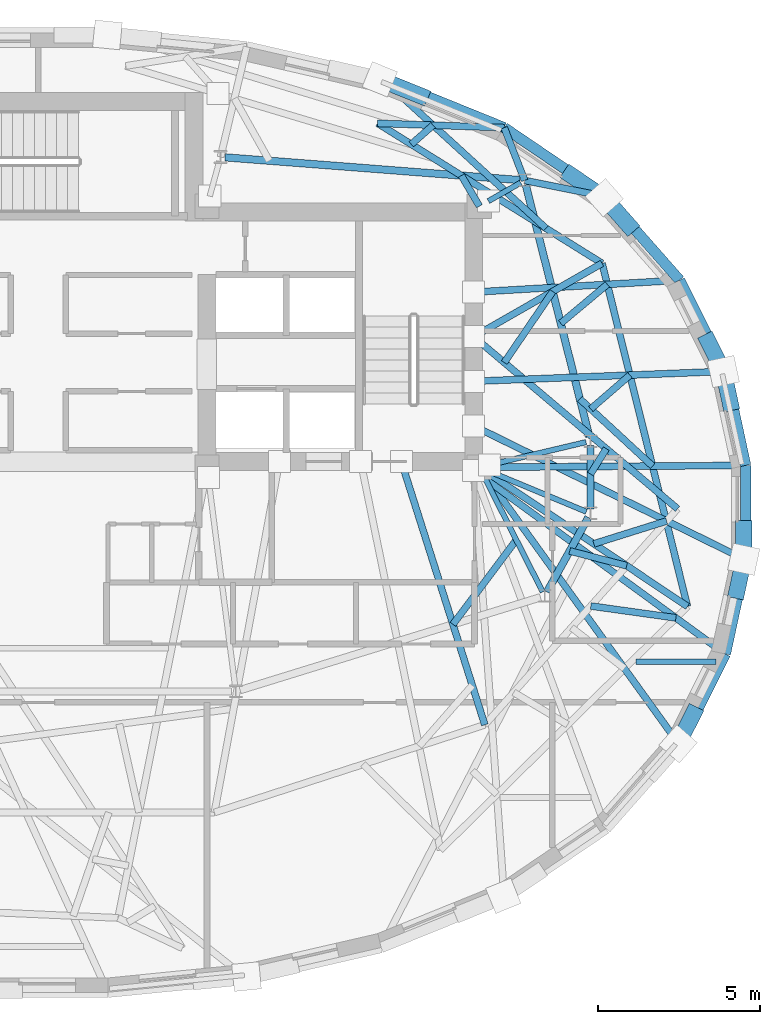
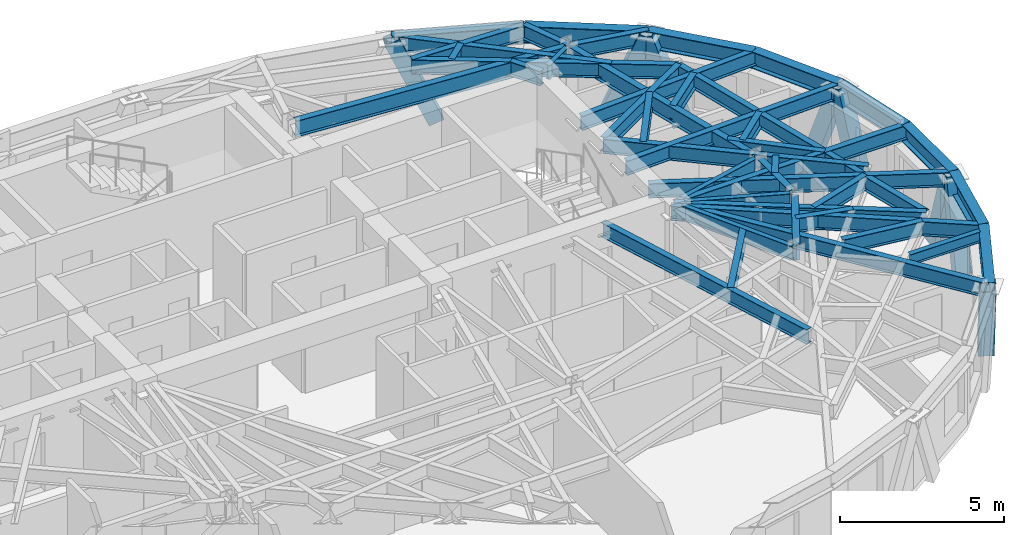
# One storey, part 4 of 13: 44 beams, 8 members.
"""IFC4 building model written with IfcOpenShell, lengths in metres."""

from ifc_helpers import new_model, si_unit, direction, frame, origin, origin_2d, place, context, subcontext, project, spatial, hollow_rectangle, i_section, extrude, material, material_profile, profile_set, type_object, element, save


model = new_model("IFC4")

# Units and contexts
model_context = context("Model", 3, precision=1e-05, world=origin(), true_north=direction((0.0, 1.0)))
body_context = subcontext(model_context, "Body", "Model", "MODEL_VIEW")
ifc_project = project(units=[si_unit("LENGTHUNIT", "METRE"), si_unit("AREAUNIT", "SQUARE_METRE"), si_unit("VOLUMEUNIT", "CUBIC_METRE"), si_unit("PLANEANGLEUNIT", "RADIAN"), si_unit("MASSUNIT", "GRAM", prefix="KILO")], contexts=[model_context])

# Site, building, storey
site_placement = place(None, origin())
site = spatial("IfcSite", under=ifc_project, at=site_placement, CompositionType="ELEMENT")
building_placement = place(site_placement, origin())
building = spatial("IfcBuilding", under=site, at=building_placement, Name="Keldmark Tower", CompositionType="ELEMENT")
storey_placement = place(building_placement, frame((0.0, 0.0, 241.5)))
storey = spatial("IfcBuildingStorey", under=building, at=storey_placement, Name="L68", CompositionType="ELEMENT", Elevation=241.5)

# Beam
ifc_material_1 = material(Name="Steel ASTM A992 Grade 50", Category="steel")
ifc_material_profile_1 = material_profile(ifc_material_1, i_section(OverallWidth=0.177978515625, OverallDepth=0.403076171875, WebThickness=0.007568359375, FlangeThickness=0.010986328125, at=origin_2d()), Name="W16X36")
ifc_profile_set_1 = profile_set([ifc_material_profile_1], Name="Steel ASTM A992 Grade 50")
beam_type_1 = type_object("IfcBeamType", Name="Composite Floor Joist W16X36", PredefinedType="JOIST", material=ifc_profile_set_1)
beam_1_placement = place(storey_placement, frame((18.422607421875, -4.60009765625, 2.7685546875), z_axis=(1.0, 0.0, 0.0), x_axis=(0.0, 1.0, 0.0)))
element("IfcBeam", 1, at=beam_1_placement, inside=storey, type_object=beam_type_1, Name="L68 Composite Floor Joist J05", PredefinedType="JOIST", context=body_context, shape_type="SweptSolid", body=[
    extrude(i_section(OverallWidth=0.177978515625, OverallDepth=0.403076171875, WebThickness=0.007568359375, FlangeThickness=0.010986328125, at=origin_2d()), origin(), (0.0, 0.0, 1.0), 2.466796875),
])

# Members
ifc_material_2 = material(Name="Steel ASTM A572 Grade 50", Category="steel")
ifc_material_profile_2 = material_profile(ifc_material_2, hollow_rectangle(XDim=0.5, YDim=0.5, WallThickness=0.030029296875, at=origin_2d()), Name="BOX500X500X30")
ifc_profile_set_2 = profile_set([ifc_material_profile_2], Name="Steel ASTM A572 Grade 50")
member_type = type_object("IfcMemberType", Name="Diagrid Upper Brace BOX500X500X30", PredefinedType="BRACE", material=ifc_profile_set_2)
member_1_placement = place(storey_placement, frame((21.3330078125, 3.384765625, -0.260009765625), z_axis=(-0.063809841383, 0.296308067664, 0.952958463512), x_axis=(-0.977588814613, -0.210523418042, 0.0)))
element("IfcMember", 2, at=member_1_placement, inside=storey, type_object=member_type, Name="L68 Perimeter Diagrid Brace 01A", PredefinedType="BRACE", context=body_context, shape_type="SweptSolid", body=[
    extrude(hollow_rectangle(XDim=0.5, YDim=0.5, WallThickness=0.030029296875, at=origin_2d()), origin(), (0.0, 0.0, 1.0), 3.263671875),
])
member_2_placement = place(storey_placement, frame((20.6572265625, 5.27685546875, -0.260009765625), z_axis=(0.143198761673, -0.285430466774, 0.947641051924), x_axis=(0.893820706466, 0.448424513929, 0.0)))
element("IfcMember", 3, at=member_2_placement, inside=storey, type_object=member_type, Name="L68 Perimeter Diagrid Brace 01B", PredefinedType="BRACE", context=body_context, shape_type="SweptSolid", body=[
    extrude(hollow_rectangle(XDim=0.5, YDim=0.5, WallThickness=0.030029296875, at=origin_2d()), origin(), (0.0, 0.0, 1.0), 3.281982421875),
])
member_3_placement = place(storey_placement, frame((18.20849609375, 8.85498046875, -0.260009765625), z_axis=(-0.228311749469, 0.258959599672, 0.938516739751), x_axis=(-0.750099356508, -0.661325151016, 0.0)))
element("IfcMember", 4, at=member_3_placement, inside=storey, type_object=member_type, Name="L68 Perimeter Diagrid Brace 02A", PredefinedType="BRACE", context=body_context, shape_type="SweptSolid", body=[
    extrude(hollow_rectangle(XDim=0.5, YDim=0.5, WallThickness=0.030029296875, at=origin_2d()), origin(), (0.0, 0.0, 1.0), 3.31396484375),
])
member_4_placement = place(storey_placement, frame((16.412109375, 10.412841796875, -0.260009765625), z_axis=(0.311680858126, -0.211326312113, 0.926388812803), x_axis=(0.56118969734, 0.827687213626, 0.0)))
element("IfcMember", 5, at=member_4_placement, inside=storey, type_object=member_type, Name="L68 Perimeter Diagrid Brace 02B", PredefinedType="BRACE", context=body_context, shape_type="SweptSolid", body=[
    extrude(hollow_rectangle(XDim=0.5, YDim=0.5, WallThickness=0.030029296875, at=origin_2d()), origin(), (0.0, 0.0, 1.0), 3.357177734375),
])
member_5_placement = place(storey_placement, frame((11.797119140625, 12.849609375, -0.260009765625), z_axis=(-0.372536559181, 0.151084670538, 0.915636354893), x_axis=(-0.37582546078, -0.926690467756, 0.0)))
element("IfcMember", 6, at=member_5_placement, inside=storey, type_object=member_type, Name="L68 Perimeter Diagrid Brace 03A", PredefinedType="BRACE", context=body_context, shape_type="SweptSolid", body=[
    extrude(hollow_rectangle(XDim=0.5, YDim=0.5, WallThickness=0.030029296875, at=origin_2d()), origin(), (0.0, 0.0, 1.0), 3.396728515625),
])
member_6_placement = place(storey_placement, frame((20.191650390625, -6.202392578125, -0.260009765625), z_axis=(-0.143201801896, -0.285362136141, 0.94766117109), x_axis=(0.89377384963, -0.448517898993, 0.0)))
element("IfcMember", 7, at=member_6_placement, inside=storey, type_object=member_type, Name="L68 Perimeter Diagrid Brace 15B", PredefinedType="BRACE", context=body_context, shape_type="SweptSolid", body=[
    extrude(hollow_rectangle(XDim=0.5, YDim=0.5, WallThickness=0.030029296875, at=origin_2d()), origin(), (0.0, 0.0, 1.0), 3.281982421875),
])
member_7_placement = place(storey_placement, frame((21.543701171875, -2.40625, -0.260009765625), z_axis=(0.063809841383, 0.296308067664, 0.952958463512), x_axis=(-0.977588814613, 0.210523418042, 0.0)))
element("IfcMember", 8, at=member_7_placement, inside=storey, type_object=member_type, Name="L68 Perimeter Diagrid Brace 16A", PredefinedType="BRACE", context=body_context, shape_type="SweptSolid", body=[
    extrude(hollow_rectangle(XDim=0.5, YDim=0.5, WallThickness=0.030029296875, at=origin_2d()), origin(), (0.0, 0.0, 1.0), 3.263671875),
])
member_8_placement = place(storey_placement, frame((21.74951171875, -0.4794921875, -0.260009765625), z_axis=(0.0, -0.298074460176, 0.954542621464), x_axis=(1.0, 0.0, 0.0)))
element("IfcMember", 9, at=member_8_placement, inside=storey, type_object=member_type, Name="L68 Perimeter Diagrid Brace 16B", PredefinedType="BRACE", context=body_context, shape_type="SweptSolid", body=[
    extrude(hollow_rectangle(XDim=0.5, YDim=0.5, WallThickness=0.030029296875, at=origin_2d()), origin(), (0.0, 0.0, 1.0), 3.25830078125),
])

# Beams
ifc_material_3 = material(Name="Steel ASTM A992 Grade 50", Category="steel")
ifc_material_profile_3 = material_profile(ifc_material_3, i_section(OverallWidth=0.22802734375, OverallDepth=0.60302734375, WebThickness=0.010498046875, FlangeThickness=0.014892578125, at=origin_2d()), Name="W24X68")
ifc_profile_set_3 = profile_set([ifc_material_profile_3], Name="Steel ASTM A992 Grade 50")
beam_type_2 = type_object("IfcBeamType", Name="Primary Floor Girder W24X68", PredefinedType="BEAM", material=ifc_profile_set_3)
beam_2_placement = place(storey_placement, frame((16.9912109375, 2.34375, 2.66845703125), z_axis=(-0.244902129455, 0.969547805417, 0.0), x_axis=(-0.969547805417, -0.244902129455, 0.0)))
element("IfcBeam", 10, at=beam_2_placement, inside=storey, type_object=beam_type_2, Name="L68 Floor Ring Girder FG-R01", PredefinedType="BEAM", context=body_context, shape_type="SweptSolid", body=[
    extrude(i_section(OverallWidth=0.22802734375, OverallDepth=0.60302734375, WebThickness=0.010498046875, FlangeThickness=0.014892578125, at=origin_2d()), origin(), (0.0, 0.0, 1.0), 8.008056640625),
])
beam_3_placement = place(storey_placement, frame((14.856201171875, 10.25439453125, 2.66845703125), z_axis=(-0.997037147832, 0.076921556421, 0.0), x_axis=(-0.076921556421, -0.997037147832, 0.0)))
element("IfcBeam", 11, at=beam_3_placement, inside=storey, type_object=beam_type_2, Name="L68 Floor Ring Girder FG-R02", PredefinedType="BEAM", context=body_context, shape_type="SweptSolid", body=[
    extrude(i_section(OverallWidth=0.22802734375, OverallDepth=0.60302734375, WebThickness=0.010498046875, FlangeThickness=0.014892578125, at=origin_2d()), origin(), (0.0, 0.0, 1.0), 9.125),
])
beam_4_placement = place(storey_placement, frame((15.68408203125, -2.44482421875, 2.66845703125), z_axis=(0.484719680408, 0.874669555561, 0.0), x_axis=(-0.874669555561, 0.484719680408, 0.0)))
element("IfcBeam", 12, at=beam_4_placement, inside=storey, type_object=beam_type_2, Name="L68 Floor Ring Girder FG-R11", PredefinedType="BEAM", context=body_context, shape_type="SweptSolid", body=[
    extrude(i_section(OverallWidth=0.22802734375, OverallDepth=0.60302734375, WebThickness=0.010498046875, FlangeThickness=0.014892578125, at=origin_2d()), origin(), (0.0, 0.0, 1.0), 2.627685546875),
])
beam_5_placement = place(storey_placement, frame((17.025634765625, 0.115966796875, 2.66845703125), z_axis=(0.0, 1.0, 0.0), x_axis=(-1.0, 0.0, 0.0)))
element("IfcBeam", 13, at=beam_5_placement, inside=storey, type_object=beam_type_2, Name="L68 Floor Ring Girder FG-R12", PredefinedType="BEAM", context=body_context, shape_type="SweptSolid", body=[
    extrude(i_section(OverallWidth=0.22802734375, OverallDepth=0.60302734375, WebThickness=0.010498046875, FlangeThickness=0.014892578125, at=origin_2d()), origin(), (0.0, 0.0, 1.0), 1.9521484375),
])
ifc_material_4 = material(Name="Steel ASTM A992 Grade 50", Category="steel")
ifc_material_profile_4 = material_profile(ifc_material_4, i_section(OverallWidth=0.166015625, OverallDepth=0.529052734375, WebThickness=0.009765625, FlangeThickness=0.013671875, at=origin_2d()), Name="W21X50")
ifc_profile_set_4 = profile_set([ifc_material_profile_4], Name="Steel ASTM A992 Grade 50")
beam_type_3 = type_object("IfcBeamType", Name="Radial Tie Girder W21X50", PredefinedType="BEAM", material=ifc_profile_set_4)
beam_6_placement = place(storey_placement, frame((16.889404296875, 2.17578125, 2.70556640625), z_axis=(-0.97329039005, -0.229577474147, 0.0), x_axis=(0.229577474147, -0.97329039005, 0.0)))
element("IfcBeam", 14, at=beam_6_placement, inside=storey, type_object=beam_type_3, Name="L68 Floor Radial Girder FG-C01", PredefinedType="BEAM", context=body_context, shape_type="SweptSolid", body=[
    extrude(i_section(OverallWidth=0.166015625, OverallDepth=0.529052734375, WebThickness=0.009765625, FlangeThickness=0.013671875, at=origin_2d()), origin(), (0.0, 0.0, 1.0), 3.0595703125),
])
beam_7_placement = place(storey_placement, frame((14.8740234375, 10.174560546875, 2.70556640625), z_axis=(-0.869238046195, -0.494393789451, 0.0), x_axis=(0.494393789451, -0.869238046195, 0.0)))
element("IfcBeam", 15, at=beam_7_placement, inside=storey, type_object=beam_type_3, Name="L68 Floor Radial Girder FG-C02", PredefinedType="BEAM", context=body_context, shape_type="SweptSolid", body=[
    extrude(i_section(OverallWidth=0.166015625, OverallDepth=0.529052734375, WebThickness=0.009765625, FlangeThickness=0.013671875, at=origin_2d()), origin(), (0.0, 0.0, 1.0), 1.145751953125),
])
beam_8_placement = place(storey_placement, frame((15.552734375, -2.442626953125, 2.70556640625), z_axis=(-0.453004410574, 0.89150827478, 0.0), x_axis=(-0.89150827478, -0.453004410574, 0.0)))
element("IfcBeam", 16, at=beam_8_placement, inside=storey, type_object=beam_type_3, Name="L68 Floor Radial Girder FG-C11", PredefinedType="BEAM", context=body_context, shape_type="SweptSolid", body=[
    extrude(i_section(OverallWidth=0.166015625, OverallDepth=0.529052734375, WebThickness=0.009765625, FlangeThickness=0.013671875, at=origin_2d()), origin(), (0.0, 0.0, 1.0), 3.990234375),
])
beam_9_placement = place(storey_placement, frame((16.896240234375, 0.02978515625, 2.70556640625), z_axis=(-0.923403331902, 0.383831065226, 0.0), x_axis=(-0.383831065226, -0.923403331902, 0.0)))
element("IfcBeam", 17, at=beam_9_placement, inside=storey, type_object=beam_type_3, Name="L68 Floor Radial Girder FG-C12", PredefinedType="BEAM", context=body_context, shape_type="SweptSolid", body=[
    extrude(i_section(OverallWidth=0.166015625, OverallDepth=0.529052734375, WebThickness=0.009765625, FlangeThickness=0.013671875, at=origin_2d()), origin(), (0.0, 0.0, 1.0), 3.249755859375),
])
ifc_material_5 = material(Name="Steel ASTM A992 Grade 50", Category="steel")
ifc_material_profile_5 = material_profile(ifc_material_5, i_section(OverallWidth=0.2099609375, OverallDepth=0.537109375, WebThickness=0.010986328125, FlangeThickness=0.017333984375, at=origin_2d()), Name="W21X68")
ifc_profile_set_5 = profile_set([ifc_material_profile_5], Name="Steel ASTM A992 Grade 50")
beam_type_4 = type_object("IfcBeamType", Name="Radial Tie Girder W21X68", PredefinedType="BEAM", material=ifc_profile_set_5)
beam_10_placement = place(storey_placement, frame((14.7392578125, -0.841796875, 2.701416015625), z_axis=(-0.600792057917, -0.799405343455, 0.0), x_axis=(0.799405343455, -0.600792057917, 0.0)))
element("IfcBeam", 18, at=beam_10_placement, inside=storey, type_object=beam_type_4, Name="L68 Framing Pin Header PH-005", PredefinedType="BEAM", context=body_context, shape_type="SweptSolid", body=[
    extrude(i_section(OverallWidth=0.2099609375, OverallDepth=0.537109375, WebThickness=0.010986328125, FlangeThickness=0.017333984375, at=origin_2d()), origin(), (0.0, 0.0, 1.0), 3.253662109375),
])
beam_11_placement = place(storey_placement, frame((11.19287109375, 1.574951171875, 2.701416015625), z_axis=(0.3023360028, -0.953201417021, 0.0), x_axis=(0.953201417021, 0.3023360028, 0.0)))
element("IfcBeam", 19, at=beam_11_placement, inside=storey, type_object=beam_type_4, Name="L68 Sub-Ring Step Girder STP1-M11", PredefinedType="BEAM", context=body_context, shape_type="SweptSolid", body=[
    extrude(i_section(OverallWidth=0.2099609375, OverallDepth=0.537109375, WebThickness=0.010986328125, FlangeThickness=0.017333984375, at=origin_2d()), origin(), (0.0, 0.0, 1.0), 8.514404296875),
])
beam_12_placement = place(storey_placement, frame((17.025634765625, 1.189697265625, 2.701416015625), z_axis=(0.527856749406, 0.849333416337, 0.0), x_axis=(-0.849333416337, 0.527856749406, 0.0)))
element("IfcBeam", 20, at=beam_12_placement, inside=storey, type_object=beam_type_4, Name="L68 Framing Pin Header PH-006", PredefinedType="BEAM", context=body_context, shape_type="SweptSolid", body=[
    extrude(i_section(OverallWidth=0.2099609375, OverallDepth=0.537109375, WebThickness=0.010986328125, FlangeThickness=0.017333984375, at=origin_2d()), origin(), (0.0, 0.0, 1.0), 0.922607421875),
])
beam_13_placement = place(storey_placement, frame((13.425048828125, 5.425048828125, 2.701416015625), z_axis=(0.764059179504, -0.645146161901, 0.0), x_axis=(0.645146161901, 0.764059179504, 0.0)))
element("IfcBeam", 21, at=beam_13_placement, inside=storey, type_object=beam_type_4, Name="L68 Sub-Ring Step Girder STP1-M12", PredefinedType="BEAM", context=body_context, shape_type="SweptSolid", body=[
    extrude(i_section(OverallWidth=0.2099609375, OverallDepth=0.537109375, WebThickness=0.010986328125, FlangeThickness=0.017333984375, at=origin_2d()), origin(), (0.0, 0.0, 1.0), 8.224609375),
])
beam_14_placement = place(storey_placement, frame((14.36767578125, 4.629150390625, 2.701416015625), z_axis=(0.563534054142, 0.826092833659, 0.0), x_axis=(-0.826092833659, 0.563534054142, 0.0)))
element("IfcBeam", 22, at=beam_14_placement, inside=storey, type_object=beam_type_4, Name="L68 Framing Pin Header PH-007", PredefinedType="BEAM", context=body_context, shape_type="SweptSolid", body=[
    extrude(i_section(OverallWidth=0.2099609375, OverallDepth=0.537109375, WebThickness=0.010986328125, FlangeThickness=0.017333984375, at=origin_2d()), origin(), (0.0, 0.0, 1.0), 2.650146484375),
])
beam_15_placement = place(storey_placement, frame((13.425048828125, 5.425048828125, 2.701416015625), z_axis=(0.86802883887, 0.496513781168, 0.0), x_axis=(-0.496513781168, 0.86802883887, 0.0)))
element("IfcBeam", 23, at=beam_15_placement, inside=storey, type_object=beam_type_4, Name="L68 Sub-Ring Step Girder STP2-M01", PredefinedType="BEAM", context=body_context, shape_type="SweptSolid", body=[
    extrude(i_section(OverallWidth=0.2099609375, OverallDepth=0.537109375, WebThickness=0.010986328125, FlangeThickness=0.017333984375, at=origin_2d()), origin(), (0.0, 0.0, 1.0), 4.55859375),
])
beam_16_placement = place(storey_placement, frame((16.384521484375, -1.180908203125, 2.701416015625), z_axis=(0.967879454201, -0.2514147214, 0.0), x_axis=(0.2514147214, 0.967879454201, 0.0)))
element("IfcBeam", 24, at=beam_16_placement, inside=storey, type_object=beam_type_4, Name="L68 Framing Pin Header PH-012", PredefinedType="BEAM", context=body_context, shape_type="SweptSolid", body=[
    extrude(i_section(OverallWidth=0.2099609375, OverallDepth=0.537109375, WebThickness=0.010986328125, FlangeThickness=0.017333984375, at=origin_2d()), origin(), (0.0, 0.0, 1.0), 1.81591796875),
])
beam_17_placement = place(storey_placement, frame((13.60009765625, 1.39990234375, 2.701416015625), z_axis=(0.831256362495, -0.555889251391, 0.0), x_axis=(0.555889251391, 0.831256362495, 0.0)))
element("IfcBeam", 25, at=beam_17_placement, inside=storey, type_object=beam_type_4, Name="L68 Sub-Ring Step Girder STP2-M12", PredefinedType="BEAM", context=body_context, shape_type="SweptSolid", body=[
    extrude(i_section(OverallWidth=0.2099609375, OverallDepth=0.537109375, WebThickness=0.010986328125, FlangeThickness=0.017333984375, at=origin_2d()), origin(), (0.0, 0.0, 1.0), 7.7197265625),
])
beam_18_placement = place(storey_placement, frame((20.01708984375, -2.891357421875, 2.701416015625), z_axis=(-0.241676731391, 0.970356819682, 0.0), x_axis=(-0.970356819682, -0.241676731391, 0.0)))
element("IfcBeam", 26, at=beam_18_placement, inside=storey, type_object=beam_type_4, Name="L68 Perimeter Collector Ring Beam CRG2-M12", PredefinedType="BEAM", context=body_context, shape_type="SweptSolid", body=[
    extrude(i_section(OverallWidth=0.2099609375, OverallDepth=0.537109375, WebThickness=0.010986328125, FlangeThickness=0.017333984375, at=origin_2d()), origin(), (0.0, 0.0, 1.0), 10.903076171875),
])
beam_19_placement = place(storey_placement, frame((16.697021484375, 3.50830078125, 2.701416015625), z_axis=(0.734505952671, -0.678602243948, 0.0), x_axis=(0.678602243948, 0.734505952671, 0.0)))
element("IfcBeam", 27, at=beam_19_placement, inside=storey, type_object=beam_type_4, Name="L68 Framing Pin Header PH-013", PredefinedType="BEAM", context=body_context, shape_type="SweptSolid", body=[
    extrude(i_section(OverallWidth=0.2099609375, OverallDepth=0.537109375, WebThickness=0.010986328125, FlangeThickness=0.017333984375, at=origin_2d()), origin(), (0.0, 0.0, 1.0), 3.052734375),
])
beam_20_placement = place(storey_placement, frame((13.60009765625, 1.39990234375, 2.701416015625), z_axis=(0.999976198415, 0.006899464031, 0.0), x_axis=(-0.006899464031, 0.999976198415, 0.0)))
element("IfcBeam", 28, at=beam_20_placement, inside=storey, type_object=beam_type_4, Name="L68 Perimeter Radial Tie Girder RT-01", PredefinedType="BEAM", context=body_context, shape_type="SweptSolid", body=[
    extrude(i_section(OverallWidth=0.2099609375, OverallDepth=0.537109375, WebThickness=0.010986328125, FlangeThickness=0.017333984375, at=origin_2d()), origin(), (0.0, 0.0, 1.0), 8.20947265625),
])
beam_21_placement = place(storey_placement, frame((17.033447265625, 3.197509765625, 2.701416015625), z_axis=(0.756571819004, 0.653910607568, 0.0), x_axis=(-0.653910607568, 0.756571819004, 0.0)))
element("IfcBeam", 29, at=beam_21_placement, inside=storey, type_object=beam_type_4, Name="L68 Framing Pin Header PH-014", PredefinedType="BEAM", context=body_context, shape_type="SweptSolid", body=[
    extrude(i_section(OverallWidth=0.2099609375, OverallDepth=0.537109375, WebThickness=0.010986328125, FlangeThickness=0.017333984375, at=origin_2d()), origin(), (0.0, 0.0, 1.0), 1.595703125),
])
beam_22_placement = place(storey_placement, frame((13.425048828125, 4.050048828125, 2.701416015625), z_axis=(0.999215108234, 0.039612718635, 0.0), x_axis=(-0.039612718635, 0.999215108234, 0.0)))
element("IfcBeam", 30, at=beam_22_placement, inside=storey, type_object=beam_type_4, Name="L68 Perimeter Radial Tie Girder RT-02", PredefinedType="BEAM", context=body_context, shape_type="SweptSolid", body=[
    extrude(i_section(OverallWidth=0.2099609375, OverallDepth=0.537109375, WebThickness=0.010986328125, FlangeThickness=0.017333984375, at=origin_2d()), origin(), (0.0, 0.0, 1.0), 7.765625),
])
beam_23_placement = place(storey_placement, frame((16.10888671875, 5.837646484375, 2.701416015625), z_axis=(0.766957773251, 0.641697572108, 0.0), x_axis=(-0.641697572108, 0.766957773251, 0.0)))
element("IfcBeam", 31, at=beam_23_placement, inside=storey, type_object=beam_type_4, Name="L68 Framing Pin Header PH-015", PredefinedType="BEAM", context=body_context, shape_type="SweptSolid", body=[
    extrude(i_section(OverallWidth=0.2099609375, OverallDepth=0.537109375, WebThickness=0.010986328125, FlangeThickness=0.017333984375, at=origin_2d()), origin(), (0.0, 0.0, 1.0), 1.87109375),
])
beam_24_placement = place(storey_placement, frame((13.425048828125, 6.800048828125, 2.701416015625), z_axis=(0.998332122383, 0.057731909876, 0.0), x_axis=(-0.057731909876, 0.998332122383, 0.0)))
element("IfcBeam", 32, at=beam_24_placement, inside=storey, type_object=beam_type_4, Name="L68 Perimeter Radial Tie Girder RT-03", PredefinedType="BEAM", context=body_context, shape_type="SweptSolid", body=[
    extrude(i_section(OverallWidth=0.2099609375, OverallDepth=0.537109375, WebThickness=0.010986328125, FlangeThickness=0.017333984375, at=origin_2d()), origin(), (0.0, 0.0, 1.0), 6.360107421875),
])
beam_25_placement = place(storey_placement, frame((14.995849609375, 10.24365234375, 2.701416015625), z_axis=(0.9805513071, -0.19626292096, 0.0), x_axis=(0.19626292096, 0.9805513071, 0.0)))
element("IfcBeam", 33, at=beam_25_placement, inside=storey, type_object=beam_type_4, Name="L68 Perimeter Column Bracket RT-04", PredefinedType="BEAM", context=body_context, shape_type="SweptSolid", body=[
    extrude(i_section(OverallWidth=0.2099609375, OverallDepth=0.537109375, WebThickness=0.010986328125, FlangeThickness=0.017333984375, at=origin_2d()), origin(), (0.0, 0.0, 1.0), 2.558837890625),
])
beam_26_placement = place(storey_placement, frame((14.995849609375, 10.24365234375, 2.701416015625), z_axis=(-0.361135466813, 0.932513364306, 0.0), x_axis=(-0.932513364306, -0.361135466813, 0.0)))
element("IfcBeam", 34, at=beam_26_placement, inside=storey, type_object=beam_type_4, Name="L68 Perimeter Column Bracket RT-05", PredefinedType="BEAM", context=body_context, shape_type="SweptSolid", body=[
    extrude(i_section(OverallWidth=0.2099609375, OverallDepth=0.537109375, WebThickness=0.010986328125, FlangeThickness=0.017333984375, at=origin_2d()), origin(), (0.0, 0.0, 1.0), 1.744140625),
])
beam_27_placement = place(storey_placement, frame((13.60009765625, 9.449951171875, 2.701416015625), z_axis=(-0.507136973213, 0.861865471173, 0.0), x_axis=(-0.861865471173, -0.507136973213, 0.0)))
element("IfcBeam", 35, at=beam_27_placement, inside=storey, type_object=beam_type_4, Name="L68 Framing Pin Header PH-016", PredefinedType="BEAM", context=body_context, shape_type="SweptSolid", body=[
    extrude(i_section(OverallWidth=0.2099609375, OverallDepth=0.537109375, WebThickness=0.010986328125, FlangeThickness=0.017333984375, at=origin_2d()), origin(), (0.0, 0.0, 1.0), 1.095703125),
])
beam_28_placement = place(storey_placement, frame((17.382080078125, 7.6884765625, 2.701416015625), z_axis=(-0.84845368143, 0.529269638717, 0.0), x_axis=(-0.529269638717, -0.84845368143, 0.0)))
element("IfcBeam", 36, at=beam_28_placement, inside=storey, type_object=beam_type_4, Name="L68 Intermediate Radial Step Girder RT-06M", PredefinedType="BEAM", context=body_context, shape_type="SweptSolid", body=[
    extrude(i_section(OverallWidth=0.2099609375, OverallDepth=0.537109375, WebThickness=0.010986328125, FlangeThickness=0.017333984375, at=origin_2d()), origin(), (0.0, 0.0, 1.0), 8.15673828125),
])
beam_29_placement = place(storey_placement, frame((14.365966796875, 11.8701171875, 2.701416015625), z_axis=(-0.999398405226, 0.034681805471, 0.0), x_axis=(-0.034681805471, -0.999398405226, 0.0)))
element("IfcBeam", 37, at=beam_29_placement, inside=storey, type_object=beam_type_4, Name="L68 Local Collector Chord RT-06C", PredefinedType="BEAM", context=body_context, shape_type="SweptSolid", body=[
    extrude(i_section(OverallWidth=0.2099609375, OverallDepth=0.537109375, WebThickness=0.010986328125, FlangeThickness=0.017333984375, at=origin_2d()), origin(), (0.0, 0.0, 1.0), 3.906982421875),
])
beam_30_placement = place(storey_placement, frame((11.49951171875, 11.35791015625, 2.701416015625), z_axis=(0.75255976066, 0.658523960563, 0.0), x_axis=(-0.658523960563, 0.75255976066, 0.0)))
element("IfcBeam", 38, at=beam_30_placement, inside=storey, type_object=beam_type_4, Name="L68 Framing Pin Header PH-017", PredefinedType="BEAM", context=body_context, shape_type="SweptSolid", body=[
    extrude(i_section(OverallWidth=0.2099609375, OverallDepth=0.537109375, WebThickness=0.010986328125, FlangeThickness=0.017333984375, at=origin_2d()), origin(), (0.0, 0.0, 1.0), 0.89306640625),
])
beam_31_placement = place(storey_placement, frame((15.652099609375, 8.767578125, 2.701416015625), z_axis=(-0.738394104317, 0.674369443785, 0.0), x_axis=(-0.674369443785, -0.738394104317, 0.0)))
element("IfcBeam", 39, at=beam_31_placement, inside=storey, type_object=beam_type_4, Name="L68 Perimeter Radial Tie Girder RT-06", PredefinedType="BEAM", context=body_context, shape_type="SweptSolid", body=[
    extrude(i_section(OverallWidth=0.2099609375, OverallDepth=0.537109375, WebThickness=0.010986328125, FlangeThickness=0.017333984375, at=origin_2d()), origin(), (0.0, 0.0, 1.0), 6.8828125),
])
beam_32_placement = place(storey_placement, frame((13.60009765625, 1.39990234375, 2.701416015625), z_axis=(0.584692608254, -0.811254925318, 0.0), x_axis=(0.811254925318, 0.584692608254, 0.0)))
element("IfcBeam", 40, at=beam_32_placement, inside=storey, type_object=beam_type_4, Name="L68 Perimeter Radial Tie Girder RT-30", PredefinedType="BEAM", context=body_context, shape_type="SweptSolid", body=[
    extrude(i_section(OverallWidth=0.2099609375, OverallDepth=0.537109375, WebThickness=0.010986328125, FlangeThickness=0.017333984375, at=origin_2d()), origin(), (0.0, 0.0, 1.0), 10.560302734375),
])
beam_33_placement = place(storey_placement, frame((17.035400390625, -2.8779296875, 2.701416015625), z_axis=(0.990356423004, -0.138542973173, 0.0), x_axis=(0.138542973173, 0.990356423004, 0.0)))
element("IfcBeam", 41, at=beam_33_placement, inside=storey, type_object=beam_type_4, Name="L68 Framing Pin Header PH-036", PredefinedType="BEAM", context=body_context, shape_type="SweptSolid", body=[
    extrude(i_section(OverallWidth=0.2099609375, OverallDepth=0.537109375, WebThickness=0.010986328125, FlangeThickness=0.017333984375, at=origin_2d()), origin(), (0.0, 0.0, 1.0), 2.648681640625),
])
beam_34_placement = place(storey_placement, frame((13.425048828125, 1.300048828125, 2.701416015625), z_axis=(0.808020893501, -0.589153830223, 0.0), x_axis=(0.589153830223, 0.808020893501, 0.0)))
element("IfcBeam", 42, at=beam_34_placement, inside=storey, type_object=beam_type_4, Name="L68 Perimeter Radial Tie Girder RT-31", PredefinedType="BEAM", context=body_context, shape_type="SweptSolid", body=[
    extrude(i_section(OverallWidth=0.2099609375, OverallDepth=0.537109375, WebThickness=0.010986328125, FlangeThickness=0.017333984375, at=origin_2d()), origin(), (0.0, 0.0, 1.0), 9.60302734375),
])
beam_35_placement = place(storey_placement, frame((17.12939453125, -0.960205078125, 2.701416015625), z_axis=(0.954226655975, 0.299084417892, 0.0), x_axis=(-0.299084417892, 0.954226655975, 0.0)))
element("IfcBeam", 43, at=beam_35_placement, inside=storey, type_object=beam_type_4, Name="L68 Framing Pin Header PH-037", PredefinedType="BEAM", context=body_context, shape_type="SweptSolid", body=[
    extrude(i_section(OverallWidth=0.2099609375, OverallDepth=0.537109375, WebThickness=0.010986328125, FlangeThickness=0.017333984375, at=origin_2d()), origin(), (0.0, 0.0, 1.0), 2.3525390625),
])
beam_36_placement = place(storey_placement, frame((13.425048828125, 2.675048828125, 2.701416015625), z_axis=(0.897003254377, -0.442023937855, 0.0), x_axis=(0.442023937855, 0.897003254377, 0.0)))
element("IfcBeam", 44, at=beam_36_placement, inside=storey, type_object=beam_type_4, Name="L68 Perimeter Radial Tie Girder RT-32", PredefinedType="BEAM", context=body_context, shape_type="SweptSolid", body=[
    extrude(i_section(OverallWidth=0.2099609375, OverallDepth=0.537109375, WebThickness=0.010986328125, FlangeThickness=0.017333984375, at=origin_2d()), origin(), (0.0, 0.0, 1.0), 9.346923828125),
])
ifc_material_6 = material(Name="Steel ASTM A992 Grade 50", Category="steel")
ifc_material_profile_6 = material_profile(ifc_material_6, i_section(OverallWidth=0.326904296875, OverallDepth=0.6220703125, WebThickness=0.015380859375, FlangeThickness=0.0244140625, at=origin_2d()), Name="W24X131")
ifc_profile_set_6 = profile_set([ifc_material_profile_6], Name="Steel ASTM A992 Grade 50")
beam_type_5 = type_object("IfcBeamType", Name="Spandrel Ring Beam W24X131", PredefinedType="SPANDREL", material=ifc_profile_set_6)
beam_37_placement = place(storey_placement, frame((21.809326171875, 1.45654296875, 2.658935546875), z_axis=(-0.210523418042, 0.977588814613, 0.0), x_axis=(-0.977588814613, -0.210523418042, 0.0)))
element("IfcBeam", 45, at=beam_37_placement, inside=storey, type_object=beam_type_5, Name="L68 Perimeter Spandrel Ring Beam SRB-01", PredefinedType="SPANDREL", context=body_context, shape_type="SweptSolid", body=[
    extrude(i_section(OverallWidth=0.326904296875, OverallDepth=0.6220703125, WebThickness=0.015380859375, FlangeThickness=0.0244140625, at=origin_2d()), origin(), (0.0, 0.0, 1.0), 2.967529296875),
])
beam_38_placement = place(storey_placement, frame((21.1845703125, 4.357666015625, 2.658935546875), z_axis=(-0.448517898993, 0.89377384963, 0.0), x_axis=(-0.89377384963, -0.448517898993, 0.0)))
element("IfcBeam", 46, at=beam_38_placement, inside=storey, type_object=beam_type_5, Name="L68 Perimeter Spandrel Ring Beam SRB-02", PredefinedType="SPANDREL", context=body_context, shape_type="SweptSolid", body=[
    extrude(i_section(OverallWidth=0.326904296875, OverallDepth=0.6220703125, WebThickness=0.015380859375, FlangeThickness=0.0244140625, at=origin_2d()), origin(), (0.0, 0.0, 1.0), 3.1435546875),
])
beam_39_placement = place(storey_placement, frame((19.774658203125, 7.167236328125, 2.658935546875), z_axis=(-0.66136043846, 0.750068243855, 0.0), x_axis=(-0.750068243855, -0.66136043846, 0.0)))
element("IfcBeam", 47, at=beam_39_placement, inside=storey, type_object=beam_type_5, Name="L68 Perimeter Spandrel Ring Beam SRB-03", PredefinedType="SPANDREL", context=body_context, shape_type="SweptSolid", body=[
    extrude(i_section(OverallWidth=0.326904296875, OverallDepth=0.6220703125, WebThickness=0.015380859375, FlangeThickness=0.0244140625, at=origin_2d()), origin(), (0.0, 0.0, 1.0), 3.431884765625),
])
beam_40_placement = place(storey_placement, frame((17.5048828125, 9.741455078125, 2.658935546875), z_axis=(-0.827637036896, 0.561263694851, 0.0), x_axis=(-0.561263694851, -0.827637036896, 0.0)))
element("IfcBeam", 48, at=beam_40_placement, inside=storey, type_object=beam_type_5, Name="L68 Perimeter Spandrel Ring Beam SRB-04", PredefinedType="SPANDREL", context=body_context, shape_type="SweptSolid", body=[
    extrude(i_section(OverallWidth=0.326904296875, OverallDepth=0.6220703125, WebThickness=0.015380859375, FlangeThickness=0.0244140625, at=origin_2d()), origin(), (0.0, 0.0, 1.0), 3.792724609375),
])
beam_41_placement = place(storey_placement, frame((14.365966796875, 11.8701171875, 2.658935546875), z_axis=(-0.926731976866, 0.375723093586, 0.0), x_axis=(-0.375723093586, -0.926731976866, 0.0)))
element("IfcBeam", 49, at=beam_41_placement, inside=storey, type_object=beam_type_5, Name="L68 Perimeter Spandrel Ring Beam SRB-05", PredefinedType="SPANDREL", context=body_context, shape_type="SweptSolid", body=[
    extrude(i_section(OverallWidth=0.326904296875, OverallDepth=0.6220703125, WebThickness=0.015380859375, FlangeThickness=0.0244140625, at=origin_2d()), origin(), (0.0, 0.0, 1.0), 4.09619140625),
])
beam_42_placement = place(storey_placement, frame((19.774658203125, -7.167236328125, 2.658935546875), z_axis=(0.448517898993, 0.89377384963, 0.0), x_axis=(-0.89377384963, 0.448517898993, 0.0)))
element("IfcBeam", 50, at=beam_42_placement, inside=storey, type_object=beam_type_5, Name="L68 Perimeter Spandrel Ring Beam SRB-30", PredefinedType="SPANDREL", context=body_context, shape_type="SweptSolid", body=[
    extrude(i_section(OverallWidth=0.326904296875, OverallDepth=0.6220703125, WebThickness=0.015380859375, FlangeThickness=0.0244140625, at=origin_2d()), origin(), (0.0, 0.0, 1.0), 3.1435546875),
])
beam_43_placement = place(storey_placement, frame((21.1845703125, -4.357666015625, 2.658935546875), z_axis=(0.210523418042, 0.977588814613, 0.0), x_axis=(-0.977588814613, 0.210523418042, 0.0)))
element("IfcBeam", 51, at=beam_43_placement, inside=storey, type_object=beam_type_5, Name="L68 Perimeter Spandrel Ring Beam SRB-31", PredefinedType="SPANDREL", context=body_context, shape_type="SweptSolid", body=[
    extrude(i_section(OverallWidth=0.326904296875, OverallDepth=0.6220703125, WebThickness=0.015380859375, FlangeThickness=0.0244140625, at=origin_2d()), origin(), (0.0, 0.0, 1.0), 2.967529296875),
])
beam_44_placement = place(storey_placement, frame((21.809326171875, -1.45654296875, 2.658935546875), z_axis=(0.0, 1.0, 0.0), x_axis=(-1.0, 0.0, 0.0)))
element("IfcBeam", 52, at=beam_44_placement, inside=storey, type_object=beam_type_5, Name="L68 Perimeter Spandrel Ring Beam SRB-32", PredefinedType="SPANDREL", context=body_context, shape_type="SweptSolid", body=[
    extrude(i_section(OverallWidth=0.326904296875, OverallDepth=0.6220703125, WebThickness=0.015380859375, FlangeThickness=0.0244140625, at=origin_2d()), origin(), (0.0, 0.0, 1.0), 2.9130859375),
])

save(model, "model.ifc")
